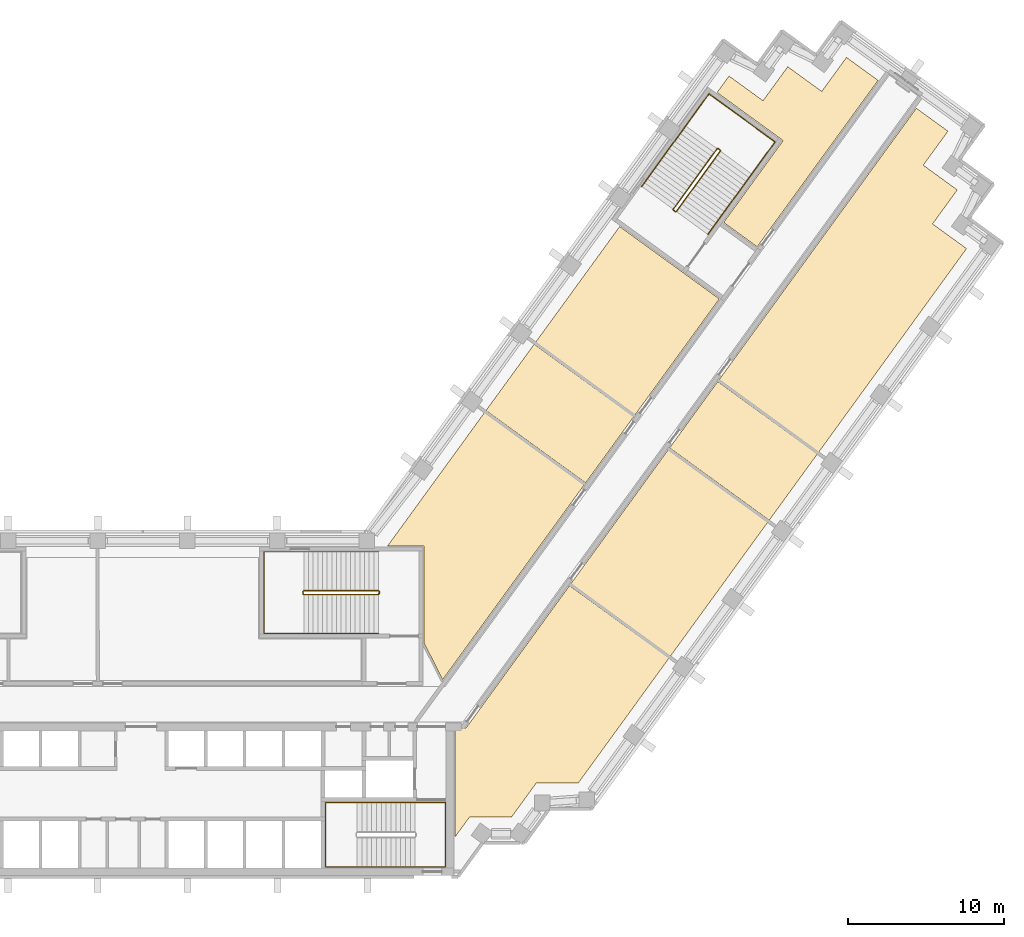
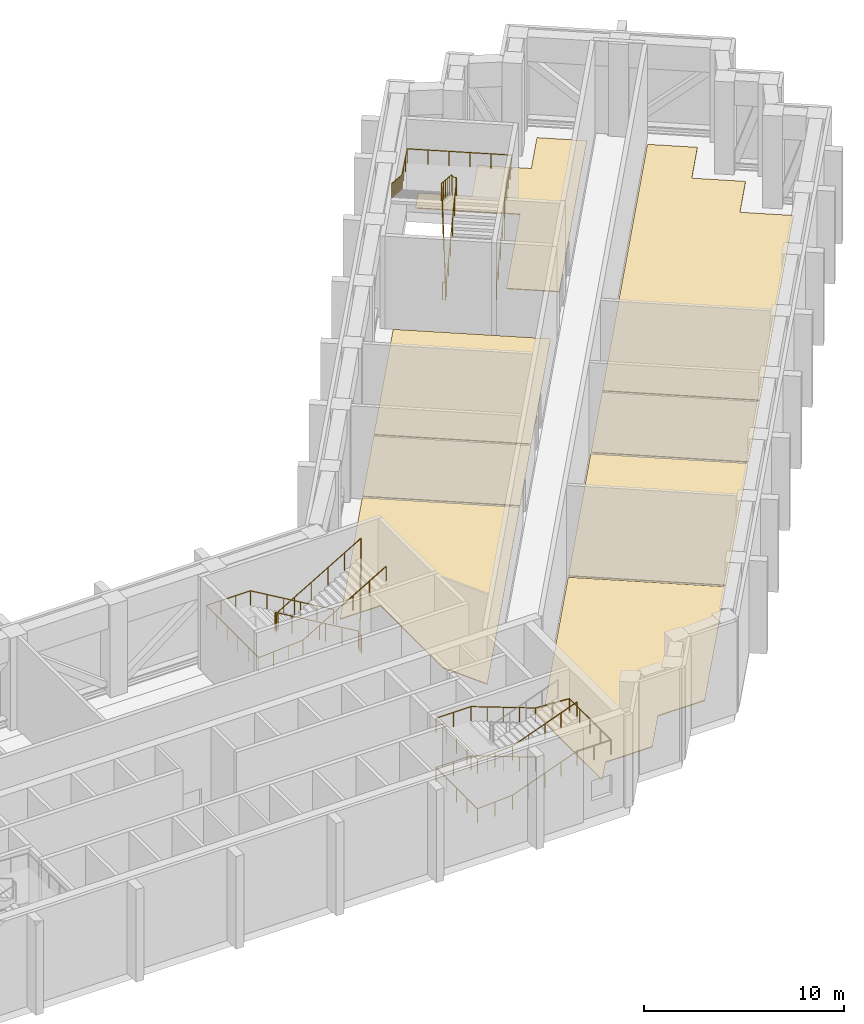
# One storey, part 19 of 19: 8 coverings, 5 railings.
"""IFC4 building model written with IfcOpenShell, lengths in metres."""

from ifc_helpers import new_model, si_unit, direction, frame, origin, origin_2d, place, context, subcontext, project, spatial, polyline, circle, outline, extrude, material, layer, layer_set, type_object, element, save


model = new_model("IFC4")

# Units and contexts
model_context = context("Model", 3, precision=1e-05, world=origin(), true_north=direction((0.0, 1.0)))
body_context = subcontext(model_context, "Body", "Model", "MODEL_VIEW")
ifc_project = project(units=[si_unit("LENGTHUNIT", "METRE"), si_unit("AREAUNIT", "SQUARE_METRE"), si_unit("VOLUMEUNIT", "CUBIC_METRE"), si_unit("PLANEANGLEUNIT", "RADIAN"), si_unit("MASSUNIT", "GRAM", prefix="KILO")], contexts=[model_context])

# Site, building, storey
site_placement = place(None, origin())
site = spatial("IfcSite", under=ifc_project, at=site_placement, CompositionType="ELEMENT")
building_placement = place(site_placement, origin())
building = spatial("IfcBuilding", under=site, at=building_placement, Name="Quipu Civic Tower", CompositionType="ELEMENT")
storey_placement = place(building_placement, frame((0.0, 0.0, 25.0)))
storey = spatial("IfcBuildingStorey", under=building, at=storey_placement, Name="L05", CompositionType="ELEMENT", Elevation=25.0)

# Coverings
ifc_material_1 = material(Name="Sealed cement screed")
ifc_layer = layer(ifc_material_1, 0.050048828125)
ifc_layer_set = layer_set([ifc_layer], Name="Sealed cement screed")
covering_type = type_object("IfcCoveringType", Name="Sealed screed floor finish 50", PredefinedType="FLOORING", material=ifc_layer_set)
covering_1_placement = place(storey_placement, origin())
element("IfcCovering", 1, at=covering_1_placement, inside=storey, type_object=covering_type, Name="Sealed screed floor finish 50", PredefinedType="FLOORING", context=body_context, shape_type="SweptSolid", body=[
    extrude(outline(polyline([(27.4990234375, 7.73388671875), (33.763916015625, 16.35888671875), (40.1630859375, 11.7099609375), (33.89794921875, 3.0859375), (27.4990234375, 7.73388671875)])), origin(), (0.0, 0.0, 1.0), 0.050048828125),
])
covering_2_placement = place(storey_placement, origin())
element("IfcCovering", 2, at=covering_2_placement, inside=storey, type_object=covering_type, Name="Sealed screed floor finish 50", PredefinedType="FLOORING", context=body_context, shape_type="SweptSolid", body=[
    extrude(outline(polyline([(37.02099609375, 20.841064453125), (49.696044921875, 38.287109375), (51.72705078125, 36.81201171875), (50.139892578125, 34.6279296875), (52.323974609375, 33.0400390625), (50.738037109375, 30.85498046875), (52.9208984375, 29.27001953125), (43.4208984375, 16.19189453125), (37.02099609375, 20.841064453125)])), origin(), (0.0, 0.0, 1.0), 0.050048828125),
])
covering_3_placement = place(storey_placement, origin())
element("IfcCovering", 3, at=covering_3_placement, inside=storey, type_object=covering_type, Name="Sealed screed floor finish 50", PredefinedType="FLOORING", context=body_context, shape_type="SweptSolid", body=[
    extrude(outline(polyline([(25.22900390625, 23.239013671875), (30.638916015625, 30.68701171875), (37.0380859375, 26.0380859375), (31.6279296875, 18.591064453125), (25.22900390625, 23.239013671875)])), origin(), (0.0, 0.0, 1.0), 0.050048828125),
])
covering_4_placement = place(storey_placement, origin())
element("IfcCovering", 4, at=covering_4_placement, inside=storey, type_object=covering_type, Name="Sealed screed floor finish 50", PredefinedType="FLOORING", context=body_context, shape_type="SweptSolid", body=[
    extrude(outline(polyline([(15.73193359375, 10.169921875), (21.971923828125, 18.758056640625), (28.37109375, 14.10888671875), (19.27197265625, 1.583984375), (18.070068359375, 3.94189453125), (18.070068359375, 10.1689453125), (15.73193359375, 10.169921875)])), origin(), (0.0, 0.0, 1.0), 0.050048828125),
])
covering_5_placement = place(storey_placement, origin())
element("IfcCovering", 5, at=covering_5_placement, inside=storey, type_object=covering_type, Name="Sealed screed floor finish 50", PredefinedType="FLOORING", context=body_context, shape_type="SweptSolid", body=[
    extrude(outline(polyline([(36.89404296875, 39.294921875), (37.6630859375, 40.35498046875), (39.846923828125, 38.76806640625), (41.43505859375, 40.951904296875), (43.618896484375, 39.365966796875), (45.2060546875, 41.549072265625), (47.237060546875, 40.074951171875), (39.472900390625, 29.386962890625), (37.320068359375, 30.949951171875), (41.139892578125, 36.208984375), (36.89404296875, 39.294921875)])), origin(), (0.0, 0.0, 1.0), 0.050048828125),
])
covering_6_placement = place(storey_placement, origin())
element("IfcCovering", 6, at=covering_6_placement, inside=storey, type_object=covering_type, Name="Sealed screed floor finish 50", PredefinedType="FLOORING", context=body_context, shape_type="SweptSolid", body=[
    extrude(outline(polyline([(20.070068359375, -8.514892578125), (20.070068359375, -1.52001953125), (20.77490234375, -1.51904296875), (27.416015625, 7.62109375), (33.81494140625, 2.972900390625), (27.97900390625, -5.06103515625), (25.279052734375, -5.06103515625), (23.69189453125, -7.24609375), (20.991943359375, -7.24609375), (20.070068359375, -8.514892578125)])), origin(), (0.0, 0.0, 1.0), 0.050048828125),
])
covering_7_placement = place(storey_placement, origin())
element("IfcCovering", 7, at=covering_7_placement, inside=storey, type_object=covering_type, Name="Sealed screed floor finish 50", PredefinedType="FLOORING", context=body_context, shape_type="SweptSolid", body=[
    extrude(outline(polyline([(33.846923828125, 16.471923828125), (36.93798828125, 20.72802734375), (43.337890625, 16.0791015625), (40.24609375, 11.822998046875), (33.846923828125, 16.471923828125)])), origin(), (0.0, 0.0, 1.0), 0.050048828125),
])
covering_8_placement = place(storey_placement, origin())
element("IfcCovering", 8, at=covering_8_placement, inside=storey, type_object=covering_type, Name="Sealed screed floor finish 50", PredefinedType="FLOORING", context=body_context, shape_type="SweptSolid", body=[
    extrude(outline(polyline([(22.054931640625, 18.87109375), (25.14599609375, 23.1259765625), (31.544921875, 18.47802734375), (28.4541015625, 14.221923828125), (22.054931640625, 18.87109375)])), origin(), (0.0, 0.0, 1.0), 0.050048828125),
])

# Railings
ifc_material_2 = material(Name="Stainless steel", Category="steel")
railing_type_1 = type_object("IfcRailingType", Name="Stair guard 1100", PredefinedType="GUARDRAIL", material=ifc_material_2)
railing_1_placement = place(storey_placement, frame((15.14990234375, 7.300048828125, 0.176513671875)))
element("IfcRailing", 9, at=railing_1_placement, inside=storey, type_object=railing_type_1, Name="Stair 4 guard", PredefinedType="GUARDRAIL", context=body_context, shape_type="SweptSolid", body=[
    extrude(circle(Radius=0.02392578125, at=origin_2d()), frame((0.0, 0.0, 1.076171875), z_axis=(-0.86192857992, 0.0, 0.507029706346), x_axis=(0.0, -1.0, 0.0)), (0.0, 0.0, 1.0), 5.568603515625),
    extrude(circle(Radius=0.02392578125, at=origin_2d()), frame((-4.7998046875, 0.0, 3.8994140625), z_axis=(-0.707106781187, -0.707106781187, 0.0), x_axis=(0.707106781187, -0.707106781187, 0.0)), (0.0, 0.0, 1.0), 0.07080078125),
    extrude(circle(Radius=0.02392578125, at=origin_2d()), frame((-4.849853515625, -0.050048828125, 3.8994140625), z_axis=(0.0, -1.0, 0.0), x_axis=(1.0, 0.0, 0.0)), (0.0, 0.0, 1.0), 0.14990234375),
    extrude(circle(Radius=0.02392578125, at=origin_2d()), frame((-4.849853515625, -0.199951171875, 3.8994140625), z_axis=(0.263171338983, -0.263171338983, 0.928160380902), x_axis=(0.707106781187, 0.707106781187, 0.0)), (0.0, 0.0, 1.0), 0.190185546875),
    extrude(circle(Radius=0.02392578125, at=origin_2d()), frame((-4.7998046875, -0.25, 4.076171875), z_axis=(0.86192857992, 0.0, 0.507029706346), x_axis=(0.0, 1.0, 0.0)), (0.0, 0.0, 1.0), 5.568603515625),
    extrude(circle(Radius=0.02392578125, at=origin_2d()), frame((0.0, -0.25, 6.8994140625), z_axis=(0.008336553618, 0.033305548356, -0.999410447375), x_axis=(-0.970072785993, 0.242814311512, 0.0)), (0.0, 0.0, 1.0), 6.00341796875),
    extrude(circle(Radius=0.02392578125, at=origin_2d()), frame((0.050048828125, -0.050048828125, 0.8994140625), z_axis=(0.0, -1.0, 0.0), x_axis=(1.0, 0.0, 0.0)), (0.0, 0.0, 1.0), 0.14990234375),
    extrude(circle(Radius=0.02099609375, at=origin_2d()), origin(), (0.0, 0.0, 1.0), 1.052001953125),
    extrude(circle(Radius=0.02099609375, at=origin_2d()), frame((-0.9599609375, 0.0, 0.564697265625)), (0.0, 0.0, 1.0), 1.052001953125),
    extrude(circle(Radius=0.02099609375, at=origin_2d()), frame((-1.919921875, 0.0, 1.12939453125)), (0.0, 0.0, 1.0), 1.052001953125),
    extrude(circle(Radius=0.02099609375, at=origin_2d()), frame((-2.8798828125, 0.0, 1.694091796875)), (0.0, 0.0, 1.0), 1.052001953125),
    extrude(circle(Radius=0.02099609375, at=origin_2d()), frame((-3.83984375, 0.0, 2.2587890625)), (0.0, 0.0, 1.0), 1.052001953125),
    extrude(circle(Radius=0.02099609375, at=origin_2d()), frame((-4.7998046875, 0.0, 2.823486328125)), (0.0, 0.0, 1.0), 1.052001953125),
    extrude(circle(Radius=0.02099609375, at=origin_2d()), frame((-4.849853515625, -0.050048828125, 2.823486328125)), (0.0, 0.0, 1.0), 1.052001953125),
    extrude(circle(Radius=0.02099609375, at=origin_2d()), frame((-4.849853515625, -0.199951171875, 2.823486328125)), (0.0, 0.0, 1.0), 1.052001953125),
    extrude(circle(Radius=0.02099609375, at=origin_2d()), frame((-4.7998046875, -0.25, 3.0)), (0.0, 0.0, 1.0), 1.052001953125),
    extrude(circle(Radius=0.02099609375, at=origin_2d()), frame((-3.83984375, -0.25, 3.564697265625)), (0.0, 0.0, 1.0), 1.052001953125),
    extrude(circle(Radius=0.02099609375, at=origin_2d()), frame((-2.8798828125, -0.25, 4.12939453125)), (0.0, 0.0, 1.0), 1.052001953125),
    extrude(circle(Radius=0.02099609375, at=origin_2d()), frame((-1.919921875, -0.25, 4.694091796875)), (0.0, 0.0, 1.0), 1.052001953125),
    extrude(circle(Radius=0.02099609375, at=origin_2d()), frame((-0.9599609375, -0.25, 5.2587890625)), (0.0, 0.0, 1.0), 1.052001953125),
    extrude(circle(Radius=0.02099609375, at=origin_2d()), frame((0.0, -0.25, 5.823486328125)), (0.0, 0.0, 1.0), 1.052001953125),
    extrude(circle(Radius=0.02099609375, at=origin_2d()), frame((0.00830078125, -0.216796875, 4.823486328125)), (0.0, 0.0, 1.0), 1.052001953125),
    extrude(circle(Radius=0.02099609375, at=origin_2d()), frame((0.0166015625, -0.183349609375, 3.823486328125)), (0.0, 0.0, 1.0), 1.052001953125),
    extrude(circle(Radius=0.02099609375, at=origin_2d()), frame((0.02490234375, -0.14990234375, 2.823486328125)), (0.0, 0.0, 1.0), 1.052001953125),
    extrude(circle(Radius=0.02099609375, at=origin_2d()), frame((0.033447265625, -0.11669921875, 1.823486328125)), (0.0, 0.0, 1.0), 1.052001953125),
    extrude(circle(Radius=0.02099609375, at=origin_2d()), frame((0.041748046875, -0.08349609375, 0.823486328125)), (0.0, 0.0, 1.0), 1.052001953125),
    extrude(circle(Radius=0.02099609375, at=origin_2d()), frame((0.050048828125, -0.050048828125, -0.176513671875)), (0.0, 0.0, 1.0), 1.052001953125),
    extrude(circle(Radius=0.02099609375, at=origin_2d()), frame((0.050048828125, -0.199951171875, -0.176513671875)), (0.0, 0.0, 1.0), 1.052001953125),
])
railing_2_placement = place(storey_placement, frame((34.28125, 31.650390625, 0.176513671875)))
element("IfcRailing", 10, at=railing_2_placement, inside=storey, type_object=railing_type_1, Name="Stair 7 guard", PredefinedType="GUARDRAIL", context=body_context, shape_type="SweptSolid", body=[
    extrude(circle(Radius=0.02392578125, at=origin_2d()), frame((0.0, 0.0, 1.076171875), z_axis=(0.506622290629, 0.697329019968, 0.507016856276), x_axis=(-0.809026317077, 0.587772420479, 0.0)), (0.0, 0.0, 1.0), 5.56884765625),
    extrude(circle(Radius=0.02392578125, at=origin_2d()), frame((2.8212890625, 3.88330078125, 3.8994140625), z_axis=(-0.155430446612, 0.987846838465, 0.0), x_axis=(-0.987846838465, -0.155430446612, 0.0)), (0.0, 0.0, 1.0), 0.07080078125),
    extrude(circle(Radius=0.02392578125, at=origin_2d()), frame((2.810302734375, 3.953125, 3.8994140625), z_axis=(-0.809649071907, 0.586914287065, 0.0), x_axis=(-0.586914287065, -0.809649071907, 0.0)), (0.0, 0.0, 1.0), 0.150146484375),
    extrude(circle(Radius=0.02392578125, at=origin_2d()), frame((2.688720703125, 4.041259765625, 3.8994140625), z_axis=(-0.367225414408, -0.057780222547, 0.928335575584), x_axis=(0.155430446612, -0.987846838465, 0.0)), (0.0, 0.0, 1.0), 0.190185546875),
    extrude(circle(Radius=0.02392578125, at=origin_2d()), frame((2.618896484375, 4.0302734375, 4.076171875), z_axis=(-0.506622290629, -0.697329019968, 0.507016856276), x_axis=(0.809026317077, -0.587772420479, 0.0)), (0.0, 0.0, 1.0), 5.56884765625),
    extrude(circle(Radius=0.02392578125, at=origin_2d()), frame((-0.202392578125, 0.14697265625, 6.8994140625), z_axis=(0.02204104197, -0.026310985525, -0.99941078867), x_axis=(0.766567769536, 0.642163417448, 0.0)), (0.0, 0.0, 1.0), 6.00341796875),
    extrude(circle(Radius=0.02392578125, at=origin_2d()), frame((-0.070068359375, -0.010986328125, 0.8994140625), z_axis=(-0.809087927272, 0.587687609145, 0.0), x_axis=(-0.587687609145, -0.809087927272, 0.0)), (0.0, 0.0, 1.0), 0.14990234375),
    extrude(circle(Radius=0.02099609375, at=origin_2d()), origin(), (0.0, 0.0, 1.0), 1.052001953125),
    extrude(circle(Radius=0.02099609375, at=origin_2d()), frame((0.564208984375, 0.776611328125, 0.564697265625)), (0.0, 0.0, 1.0), 1.052001953125),
    extrude(circle(Radius=0.02099609375, at=origin_2d()), frame((1.12841796875, 1.55322265625, 1.12939453125)), (0.0, 0.0, 1.0), 1.052001953125),
    extrude(circle(Radius=0.02099609375, at=origin_2d()), frame((1.69287109375, 2.330078125, 1.694091796875)), (0.0, 0.0, 1.0), 1.052001953125),
    extrude(circle(Radius=0.02099609375, at=origin_2d()), frame((2.257080078125, 3.106689453125, 2.2587890625)), (0.0, 0.0, 1.0), 1.052001953125),
    extrude(circle(Radius=0.02099609375, at=origin_2d()), frame((2.8212890625, 3.88330078125, 2.823486328125)), (0.0, 0.0, 1.0), 1.052001953125),
    extrude(circle(Radius=0.02099609375, at=origin_2d()), frame((2.810302734375, 3.953125, 2.823486328125)), (0.0, 0.0, 1.0), 1.052001953125),
    extrude(circle(Radius=0.02099609375, at=origin_2d()), frame((2.688720703125, 4.041259765625, 2.823486328125)), (0.0, 0.0, 1.0), 1.052001953125),
    extrude(circle(Radius=0.02099609375, at=origin_2d()), frame((2.618896484375, 4.0302734375, 3.0)), (0.0, 0.0, 1.0), 1.052001953125),
    extrude(circle(Radius=0.02099609375, at=origin_2d()), frame((2.0546875, 3.253662109375, 3.564697265625)), (0.0, 0.0, 1.0), 1.052001953125),
    extrude(circle(Radius=0.02099609375, at=origin_2d()), frame((1.490478515625, 2.47705078125, 4.12939453125)), (0.0, 0.0, 1.0), 1.052001953125),
    extrude(circle(Radius=0.02099609375, at=origin_2d()), frame((0.926025390625, 1.7001953125, 4.694091796875)), (0.0, 0.0, 1.0), 1.052001953125),
    extrude(circle(Radius=0.02099609375, at=origin_2d()), frame((0.36181640625, 0.923583984375, 5.2587890625)), (0.0, 0.0, 1.0), 1.052001953125),
    extrude(circle(Radius=0.02099609375, at=origin_2d()), frame((-0.202392578125, 0.14697265625, 5.823486328125)), (0.0, 0.0, 1.0), 1.052001953125),
    extrude(circle(Radius=0.02099609375, at=origin_2d()), frame((-0.180419921875, 0.12060546875, 4.823486328125)), (0.0, 0.0, 1.0), 1.052001953125),
    extrude(circle(Radius=0.02099609375, at=origin_2d()), frame((-0.158203125, 0.09423828125, 3.823486328125)), (0.0, 0.0, 1.0), 1.052001953125),
    extrude(circle(Radius=0.02099609375, at=origin_2d()), frame((-0.13623046875, 0.06787109375, 2.823486328125)), (0.0, 0.0, 1.0), 1.052001953125),
    extrude(circle(Radius=0.02099609375, at=origin_2d()), frame((-0.1142578125, 0.041748046875, 1.823486328125)), (0.0, 0.0, 1.0), 1.052001953125),
    extrude(circle(Radius=0.02099609375, at=origin_2d()), frame((-0.092041015625, 0.015380859375, 0.823486328125)), (0.0, 0.0, 1.0), 1.052001953125),
    extrude(circle(Radius=0.02099609375, at=origin_2d()), frame((-0.070068359375, -0.010986328125, -0.176513671875)), (0.0, 0.0, 1.0), 1.052001953125),
    extrude(circle(Radius=0.02099609375, at=origin_2d()), frame((-0.19140625, 0.0771484375, -0.176513671875)), (0.0, 0.0, 1.0), 1.052001953125),
])
ifc_material_3 = material(Name="Stainless steel", Category="steel")
railing_type_2 = type_object("IfcRailingType", Name="Stair handrail", PredefinedType="HANDRAIL", material=ifc_material_3)
railing_3_placement = place(storey_placement, frame((17.5, -6.300048828125, 0.115478515625)))
element("IfcRailing", 11, at=railing_3_placement, inside=storey, type_object=railing_type_2, Name="Stair 2 handrail", PredefinedType="HANDRAIL", context=body_context, shape_type="SweptSolid", body=[
    extrude(circle(Radius=0.02392578125, at=origin_2d()), frame((0.0, 0.0, 0.8759765625), z_axis=(-0.937193329374, 0.0, 0.348810354458), x_axis=(0.0, -1.0, 0.0)), (0.0, 0.0, 1.0), 3.96923828125),
    extrude(circle(Radius=0.02392578125, at=origin_2d()), frame((-3.719970703125, 0.0, 2.26025390625), z_axis=(-1.0, 0.0, 0.0), x_axis=(0.0, -1.0, 0.0)), (0.0, 0.0, 1.0), 2.030029296875),
    extrude(circle(Radius=0.02392578125, at=origin_2d()), frame((-5.75, 0.0, 2.26025390625), z_axis=(0.0, -1.0, 0.0), x_axis=(1.0, 0.0, 0.0)), (0.0, 0.0, 1.0), 4.14990234375),
    extrude(circle(Radius=0.02392578125, at=origin_2d()), frame((-5.75, -4.14990234375, 2.26025390625), z_axis=(0.99838595614, 0.0, 0.056793332201), x_axis=(0.0, 1.0, 0.0)), (0.0, 0.0, 1.0), 2.033203125),
    extrude(circle(Radius=0.02392578125, at=origin_2d()), frame((-3.719970703125, -4.14990234375, 2.3759765625), z_axis=(0.937193329374, 0.0, 0.348810354458), x_axis=(0.0, 1.0, 0.0)), (0.0, 0.0, 1.0), 3.96923828125),
    extrude(circle(Radius=0.02392578125, at=origin_2d()), frame((0.0, -4.14990234375, 3.76025390625), z_axis=(1.0, 0.0, 0.0), x_axis=(0.0, 1.0, 0.0)), (0.0, 0.0, 1.0), 1.949951171875),
    extrude(circle(Radius=0.02392578125, at=origin_2d()), frame((1.949951171875, -4.14990234375, 3.76025390625), z_axis=(0.0, 1.0, 0.0), x_axis=(-1.0, 0.0, 0.0)), (0.0, 0.0, 1.0), 4.14990234375),
    extrude(circle(Radius=0.02392578125, at=origin_2d()), frame((1.949951171875, 0.0, 3.76025390625), z_axis=(-0.998251021802, 0.0, 0.059117657858), x_axis=(0.0, -1.0, 0.0)), (0.0, 0.0, 1.0), 1.953369140625),
    extrude(circle(Radius=0.02392578125, at=origin_2d()), frame((0.0, 0.0, 3.8759765625), z_axis=(-0.937193329374, 0.0, 0.348810354458), x_axis=(0.0, -1.0, 0.0)), (0.0, 0.0, 1.0), 3.96923828125),
    extrude(circle(Radius=0.02392578125, at=origin_2d()), frame((-3.719970703125, 0.0, 5.26025390625), z_axis=(-1.0, 0.0, 0.0), x_axis=(0.0, -1.0, 0.0)), (0.0, 0.0, 1.0), 2.030029296875),
    extrude(circle(Radius=0.02392578125, at=origin_2d()), frame((-5.75, 0.0, 5.26025390625), z_axis=(0.0, -1.0, 0.0), x_axis=(1.0, 0.0, 0.0)), (0.0, 0.0, 1.0), 4.14990234375),
    extrude(circle(Radius=0.02392578125, at=origin_2d()), frame((-5.75, -4.14990234375, 5.26025390625), z_axis=(0.99838595614, 0.0, 0.056793332201), x_axis=(0.0, 1.0, 0.0)), (0.0, 0.0, 1.0), 2.033203125),
    extrude(circle(Radius=0.02392578125, at=origin_2d()), frame((-3.719970703125, -4.14990234375, 5.3759765625), z_axis=(0.937193329374, 0.0, 0.348810354458), x_axis=(0.0, 1.0, 0.0)), (0.0, 0.0, 1.0), 3.96923828125),
    extrude(circle(Radius=0.02099609375, at=origin_2d()), origin(), (0.0, 0.0, 1.0), 0.851806640625),
    extrude(circle(Radius=0.02099609375, at=origin_2d()), frame((-0.929931640625, 0.0, 0.34619140625)), (0.0, 0.0, 1.0), 0.851806640625),
    extrude(circle(Radius=0.02099609375, at=origin_2d()), frame((-1.85986328125, 0.0, 0.6923828125)), (0.0, 0.0, 1.0), 0.851806640625),
    extrude(circle(Radius=0.02099609375, at=origin_2d()), frame((-2.7900390625, 0.0, 1.038330078125)), (0.0, 0.0, 1.0), 0.851806640625),
    extrude(circle(Radius=0.02099609375, at=origin_2d()), frame((-3.719970703125, 0.0, 1.384521484375)), (0.0, 0.0, 1.0), 0.851806640625),
    extrude(circle(Radius=0.02099609375, at=origin_2d()), frame((-4.73486328125, 0.0, 1.384521484375)), (0.0, 0.0, 1.0), 0.851806640625),
    extrude(circle(Radius=0.02099609375, at=origin_2d()), frame((-5.75, 0.0, 1.384521484375)), (0.0, 0.0, 1.0), 0.851806640625),
    extrude(circle(Radius=0.02099609375, at=origin_2d()), frame((-5.75, -1.03759765625, 1.384521484375)), (0.0, 0.0, 1.0), 0.851806640625),
    extrude(circle(Radius=0.02099609375, at=origin_2d()), frame((-5.75, -2.074951171875, 1.384521484375)), (0.0, 0.0, 1.0), 0.851806640625),
    extrude(circle(Radius=0.02099609375, at=origin_2d()), frame((-5.75, -3.1123046875, 1.384521484375)), (0.0, 0.0, 1.0), 0.851806640625),
    extrude(circle(Radius=0.02099609375, at=origin_2d()), frame((-5.75, -4.14990234375, 1.384521484375)), (0.0, 0.0, 1.0), 0.851806640625),
    extrude(circle(Radius=0.02099609375, at=origin_2d()), frame((-4.73486328125, -4.14990234375, 1.4423828125)), (0.0, 0.0, 1.0), 0.851806640625),
    extrude(circle(Radius=0.02099609375, at=origin_2d()), frame((-3.719970703125, -4.14990234375, 1.5)), (0.0, 0.0, 1.0), 0.851806640625),
    extrude(circle(Radius=0.02099609375, at=origin_2d()), frame((-2.7900390625, -4.14990234375, 1.84619140625)), (0.0, 0.0, 1.0), 0.851806640625),
    extrude(circle(Radius=0.02099609375, at=origin_2d()), frame((-1.85986328125, -4.14990234375, 2.1923828125)), (0.0, 0.0, 1.0), 0.851806640625),
    extrude(circle(Radius=0.02099609375, at=origin_2d()), frame((-0.929931640625, -4.14990234375, 2.538330078125)), (0.0, 0.0, 1.0), 0.851806640625),
    extrude(circle(Radius=0.02099609375, at=origin_2d()), frame((0.0, -4.14990234375, 2.884521484375)), (0.0, 0.0, 1.0), 0.851806640625),
    extrude(circle(Radius=0.02099609375, at=origin_2d()), frame((0.97509765625, -4.14990234375, 2.884521484375)), (0.0, 0.0, 1.0), 0.851806640625),
    extrude(circle(Radius=0.02099609375, at=origin_2d()), frame((1.949951171875, -4.14990234375, 2.884521484375)), (0.0, 0.0, 1.0), 0.851806640625),
    extrude(circle(Radius=0.02099609375, at=origin_2d()), frame((1.949951171875, -3.1123046875, 2.884521484375)), (0.0, 0.0, 1.0), 0.851806640625),
    extrude(circle(Radius=0.02099609375, at=origin_2d()), frame((1.949951171875, -2.074951171875, 2.884521484375)), (0.0, 0.0, 1.0), 0.851806640625),
    extrude(circle(Radius=0.02099609375, at=origin_2d()), frame((1.949951171875, -1.03759765625, 2.884521484375)), (0.0, 0.0, 1.0), 0.851806640625),
    extrude(circle(Radius=0.02099609375, at=origin_2d()), frame((1.949951171875, 0.0, 2.884521484375)), (0.0, 0.0, 1.0), 0.851806640625),
    extrude(circle(Radius=0.02099609375, at=origin_2d()), frame((0.97509765625, 0.0, 2.9423828125)), (0.0, 0.0, 1.0), 0.851806640625),
    extrude(circle(Radius=0.02099609375, at=origin_2d()), frame((0.0, 0.0, 3.0)), (0.0, 0.0, 1.0), 0.851806640625),
    extrude(circle(Radius=0.02099609375, at=origin_2d()), frame((-0.929931640625, 0.0, 3.34619140625)), (0.0, 0.0, 1.0), 0.851806640625),
    extrude(circle(Radius=0.02099609375, at=origin_2d()), frame((-1.85986328125, 0.0, 3.6923828125)), (0.0, 0.0, 1.0), 0.851806640625),
    extrude(circle(Radius=0.02099609375, at=origin_2d()), frame((-2.7900390625, 0.0, 4.038330078125)), (0.0, 0.0, 1.0), 0.851806640625),
    extrude(circle(Radius=0.02099609375, at=origin_2d()), frame((-3.719970703125, 0.0, 4.384521484375)), (0.0, 0.0, 1.0), 0.851806640625),
    extrude(circle(Radius=0.02099609375, at=origin_2d()), frame((-4.73486328125, 0.0, 4.384521484375)), (0.0, 0.0, 1.0), 0.851806640625),
    extrude(circle(Radius=0.02099609375, at=origin_2d()), frame((-5.75, 0.0, 4.384521484375)), (0.0, 0.0, 1.0), 0.851806640625),
    extrude(circle(Radius=0.02099609375, at=origin_2d()), frame((-5.75, -1.03759765625, 4.384521484375)), (0.0, 0.0, 1.0), 0.851806640625),
    extrude(circle(Radius=0.02099609375, at=origin_2d()), frame((-5.75, -2.074951171875, 4.384521484375)), (0.0, 0.0, 1.0), 0.851806640625),
    extrude(circle(Radius=0.02099609375, at=origin_2d()), frame((-5.75, -3.1123046875, 4.384521484375)), (0.0, 0.0, 1.0), 0.851806640625),
    extrude(circle(Radius=0.02099609375, at=origin_2d()), frame((-5.75, -4.14990234375, 4.384521484375)), (0.0, 0.0, 1.0), 0.851806640625),
    extrude(circle(Radius=0.02099609375, at=origin_2d()), frame((-4.73486328125, -4.14990234375, 4.4423828125)), (0.0, 0.0, 1.0), 0.851806640625),
    extrude(circle(Radius=0.02099609375, at=origin_2d()), frame((-3.719970703125, -4.14990234375, 4.5)), (0.0, 0.0, 1.0), 0.851806640625),
    extrude(circle(Radius=0.02099609375, at=origin_2d()), frame((-2.7900390625, -4.14990234375, 4.84619140625)), (0.0, 0.0, 1.0), 0.851806640625),
    extrude(circle(Radius=0.02099609375, at=origin_2d()), frame((-1.85986328125, -4.14990234375, 5.1923828125)), (0.0, 0.0, 1.0), 0.851806640625),
    extrude(circle(Radius=0.02099609375, at=origin_2d()), frame((-0.929931640625, -4.14990234375, 5.538330078125)), (0.0, 0.0, 1.0), 0.851806640625),
    extrude(circle(Radius=0.02099609375, at=origin_2d()), frame((0.0, -4.14990234375, 5.884521484375)), (0.0, 0.0, 1.0), 0.851806640625),
])
railing_4_placement = place(storey_placement, frame((15.14990234375, 9.800048828125, 0.176513671875)))
element("IfcRailing", 12, at=railing_4_placement, inside=storey, type_object=railing_type_2, Name="Stair 4 handrail", PredefinedType="HANDRAIL", context=body_context, shape_type="SweptSolid", body=[
    extrude(circle(Radius=0.02392578125, at=origin_2d()), frame((0.0, 0.0, 0.8759765625), z_axis=(-0.86192857992, 0.0, 0.507029706346), x_axis=(0.0, -1.0, 0.0)), (0.0, 0.0, 1.0), 5.568603515625),
    extrude(circle(Radius=0.02392578125, at=origin_2d()), frame((-4.7998046875, 0.0, 3.69921875), z_axis=(-1.0, 0.0, 0.0), x_axis=(0.0, -1.0, 0.0)), (0.0, 0.0, 1.0), 2.550048828125),
    extrude(circle(Radius=0.02392578125, at=origin_2d()), frame((-7.349853515625, 0.0, 3.69921875), z_axis=(0.0, -1.0, 0.0), x_axis=(1.0, 0.0, 0.0)), (0.0, 0.0, 1.0), 5.25),
    extrude(circle(Radius=0.02392578125, at=origin_2d()), frame((-7.349853515625, -5.25, 3.69921875), z_axis=(0.997612889748, 0.0, 0.069054487246), x_axis=(0.0, 1.0, 0.0)), (0.0, 0.0, 1.0), 2.55615234375),
    extrude(circle(Radius=0.02392578125, at=origin_2d()), frame((-4.7998046875, -5.25, 3.8759765625), z_axis=(0.86192857992, 0.0, 0.507029706346), x_axis=(0.0, 1.0, 0.0)), (0.0, 0.0, 1.0), 5.568603515625),
    extrude(circle(Radius=0.02099609375, at=origin_2d()), origin(), (0.0, 0.0, 1.0), 0.851806640625),
    extrude(circle(Radius=0.02099609375, at=origin_2d()), frame((-0.9599609375, 0.0, 0.564697265625)), (0.0, 0.0, 1.0), 0.851806640625),
    extrude(circle(Radius=0.02099609375, at=origin_2d()), frame((-1.919921875, 0.0, 1.12939453125)), (0.0, 0.0, 1.0), 0.851806640625),
    extrude(circle(Radius=0.02099609375, at=origin_2d()), frame((-2.8798828125, 0.0, 1.694091796875)), (0.0, 0.0, 1.0), 0.851806640625),
    extrude(circle(Radius=0.02099609375, at=origin_2d()), frame((-3.83984375, 0.0, 2.2587890625)), (0.0, 0.0, 1.0), 0.851806640625),
    extrude(circle(Radius=0.02099609375, at=origin_2d()), frame((-4.7998046875, 0.0, 2.823486328125)), (0.0, 0.0, 1.0), 0.851806640625),
    extrude(circle(Radius=0.02099609375, at=origin_2d()), frame((-5.64990234375, 0.0, 2.823486328125)), (0.0, 0.0, 1.0), 0.851806640625),
    extrude(circle(Radius=0.02099609375, at=origin_2d()), frame((-6.499755859375, 0.0, 2.823486328125)), (0.0, 0.0, 1.0), 0.851806640625),
    extrude(circle(Radius=0.02099609375, at=origin_2d()), frame((-7.349853515625, 0.0, 2.823486328125)), (0.0, 0.0, 1.0), 0.851806640625),
    extrude(circle(Radius=0.02099609375, at=origin_2d()), frame((-7.349853515625, -1.050048828125, 2.823486328125)), (0.0, 0.0, 1.0), 0.851806640625),
    extrude(circle(Radius=0.02099609375, at=origin_2d()), frame((-7.349853515625, -2.10009765625, 2.823486328125)), (0.0, 0.0, 1.0), 0.851806640625),
    extrude(circle(Radius=0.02099609375, at=origin_2d()), frame((-7.349853515625, -3.14990234375, 2.823486328125)), (0.0, 0.0, 1.0), 0.851806640625),
    extrude(circle(Radius=0.02099609375, at=origin_2d()), frame((-7.349853515625, -4.199951171875, 2.823486328125)), (0.0, 0.0, 1.0), 0.851806640625),
    extrude(circle(Radius=0.02099609375, at=origin_2d()), frame((-7.349853515625, -5.25, 2.823486328125)), (0.0, 0.0, 1.0), 0.851806640625),
    extrude(circle(Radius=0.02099609375, at=origin_2d()), frame((-6.499755859375, -5.25, 2.88232421875)), (0.0, 0.0, 1.0), 0.851806640625),
    extrude(circle(Radius=0.02099609375, at=origin_2d()), frame((-5.64990234375, -5.25, 2.941162109375)), (0.0, 0.0, 1.0), 0.851806640625),
    extrude(circle(Radius=0.02099609375, at=origin_2d()), frame((-4.7998046875, -5.25, 3.0)), (0.0, 0.0, 1.0), 0.851806640625),
    extrude(circle(Radius=0.02099609375, at=origin_2d()), frame((-3.83984375, -5.25, 3.564697265625)), (0.0, 0.0, 1.0), 0.851806640625),
    extrude(circle(Radius=0.02099609375, at=origin_2d()), frame((-2.8798828125, -5.25, 4.12939453125)), (0.0, 0.0, 1.0), 0.851806640625),
    extrude(circle(Radius=0.02099609375, at=origin_2d()), frame((-1.919921875, -5.25, 4.694091796875)), (0.0, 0.0, 1.0), 0.851806640625),
    extrude(circle(Radius=0.02099609375, at=origin_2d()), frame((-0.9599609375, -5.25, 5.2587890625)), (0.0, 0.0, 1.0), 0.851806640625),
    extrude(circle(Radius=0.02099609375, at=origin_2d()), frame((0.0, -5.25, 5.823486328125)), (0.0, 0.0, 1.0), 0.851806640625),
])
railing_5_placement = place(storey_placement, frame((36.3037109375, 30.180908203125, 0.176513671875)))
element("IfcRailing", 13, at=railing_5_placement, inside=storey, type_object=railing_type_2, Name="Stair 7 handrail", PredefinedType="HANDRAIL", context=body_context, shape_type="SweptSolid", body=[
    extrude(circle(Radius=0.02392578125, at=origin_2d()), frame((0.0, 0.0, 0.8759765625), z_axis=(0.506622290629, 0.697329019968, 0.507016856276), x_axis=(-0.809026317077, 0.587772420479, 0.0)), (0.0, 0.0, 1.0), 5.56884765625),
    extrude(circle(Radius=0.02392578125, at=origin_2d()), frame((2.8212890625, 3.88330078125, 3.69921875), z_axis=(0.587767432704, 0.809029940764, 0.0), x_axis=(-0.809029940764, 0.587767432704, 0.0)), (0.0, 0.0, 1.0), 2.550048828125),
    extrude(circle(Radius=0.02392578125, at=origin_2d()), frame((4.320068359375, 5.9462890625, 3.69921875), z_axis=(-0.809009483706, 0.587795589702, 0.0), x_axis=(-0.587795589702, -0.809009483706, 0.0)), (0.0, 0.0, 1.0), 5.25),
    extrude(circle(Radius=0.02392578125, at=origin_2d()), frame((0.07275390625, 9.0322265625, 3.69921875), z_axis=(-0.586364261901, -0.80709855238, 0.069057071405), x_axis=(0.809029940764, -0.587767432704, 0.0)), (0.0, 0.0, 1.0), 2.55615234375),
    extrude(circle(Radius=0.02392578125, at=origin_2d()), frame((-1.426025390625, 6.96923828125, 3.8759765625), z_axis=(-0.506622290629, -0.697329019968, 0.507016856276), x_axis=(0.809026317077, -0.587772420479, 0.0)), (0.0, 0.0, 1.0), 5.56884765625),
    extrude(circle(Radius=0.02099609375, at=origin_2d()), origin(), (0.0, 0.0, 1.0), 0.851806640625),
    extrude(circle(Radius=0.02099609375, at=origin_2d()), frame((0.564208984375, 0.776611328125, 0.564697265625)), (0.0, 0.0, 1.0), 0.851806640625),
    extrude(circle(Radius=0.02099609375, at=origin_2d()), frame((1.12841796875, 1.55322265625, 1.12939453125)), (0.0, 0.0, 1.0), 0.851806640625),
    extrude(circle(Radius=0.02099609375, at=origin_2d()), frame((1.69287109375, 2.330078125, 1.694091796875)), (0.0, 0.0, 1.0), 0.851806640625),
    extrude(circle(Radius=0.02099609375, at=origin_2d()), frame((2.257080078125, 3.106689453125, 2.2587890625)), (0.0, 0.0, 1.0), 0.851806640625),
    extrude(circle(Radius=0.02099609375, at=origin_2d()), frame((2.8212890625, 3.88330078125, 2.823486328125)), (0.0, 0.0, 1.0), 0.851806640625),
    extrude(circle(Radius=0.02099609375, at=origin_2d()), frame((3.32080078125, 4.571044921875, 2.823486328125)), (0.0, 0.0, 1.0), 0.851806640625),
    extrude(circle(Radius=0.02099609375, at=origin_2d()), frame((3.820556640625, 5.258544921875, 2.823486328125)), (0.0, 0.0, 1.0), 0.851806640625),
    extrude(circle(Radius=0.02099609375, at=origin_2d()), frame((4.320068359375, 5.9462890625, 2.823486328125)), (0.0, 0.0, 1.0), 0.851806640625),
    extrude(circle(Radius=0.02099609375, at=origin_2d()), frame((3.470703125, 6.5634765625, 2.823486328125)), (0.0, 0.0, 1.0), 0.851806640625),
    extrude(circle(Radius=0.02099609375, at=origin_2d()), frame((2.62109375, 7.1806640625, 2.823486328125)), (0.0, 0.0, 1.0), 0.851806640625),
    extrude(circle(Radius=0.02099609375, at=origin_2d()), frame((1.771728515625, 7.7978515625, 2.823486328125)), (0.0, 0.0, 1.0), 0.851806640625),
    extrude(circle(Radius=0.02099609375, at=origin_2d()), frame((0.922119140625, 8.4150390625, 2.823486328125)), (0.0, 0.0, 1.0), 0.851806640625),
    extrude(circle(Radius=0.02099609375, at=origin_2d()), frame((0.07275390625, 9.0322265625, 2.823486328125)), (0.0, 0.0, 1.0), 0.851806640625),
    extrude(circle(Radius=0.02099609375, at=origin_2d()), frame((-0.4267578125, 8.344482421875, 2.88232421875)), (0.0, 0.0, 1.0), 0.851806640625),
    extrude(circle(Radius=0.02099609375, at=origin_2d()), frame((-0.926513671875, 7.656982421875, 2.941162109375)), (0.0, 0.0, 1.0), 0.851806640625),
    extrude(circle(Radius=0.02099609375, at=origin_2d()), frame((-1.426025390625, 6.96923828125, 3.0)), (0.0, 0.0, 1.0), 0.851806640625),
    extrude(circle(Radius=0.02099609375, at=origin_2d()), frame((-1.990234375, 6.192626953125, 3.564697265625)), (0.0, 0.0, 1.0), 0.851806640625),
    extrude(circle(Radius=0.02099609375, at=origin_2d()), frame((-2.554443359375, 5.416015625, 4.12939453125)), (0.0, 0.0, 1.0), 0.851806640625),
    extrude(circle(Radius=0.02099609375, at=origin_2d()), frame((-3.118896484375, 4.63916015625, 4.694091796875)), (0.0, 0.0, 1.0), 0.851806640625),
    extrude(circle(Radius=0.02099609375, at=origin_2d()), frame((-3.68310546875, 3.862548828125, 5.2587890625)), (0.0, 0.0, 1.0), 0.851806640625),
    extrude(circle(Radius=0.02099609375, at=origin_2d()), frame((-4.247314453125, 3.0859375, 5.823486328125)), (0.0, 0.0, 1.0), 0.851806640625),
])

save(model, "model.ifc")
